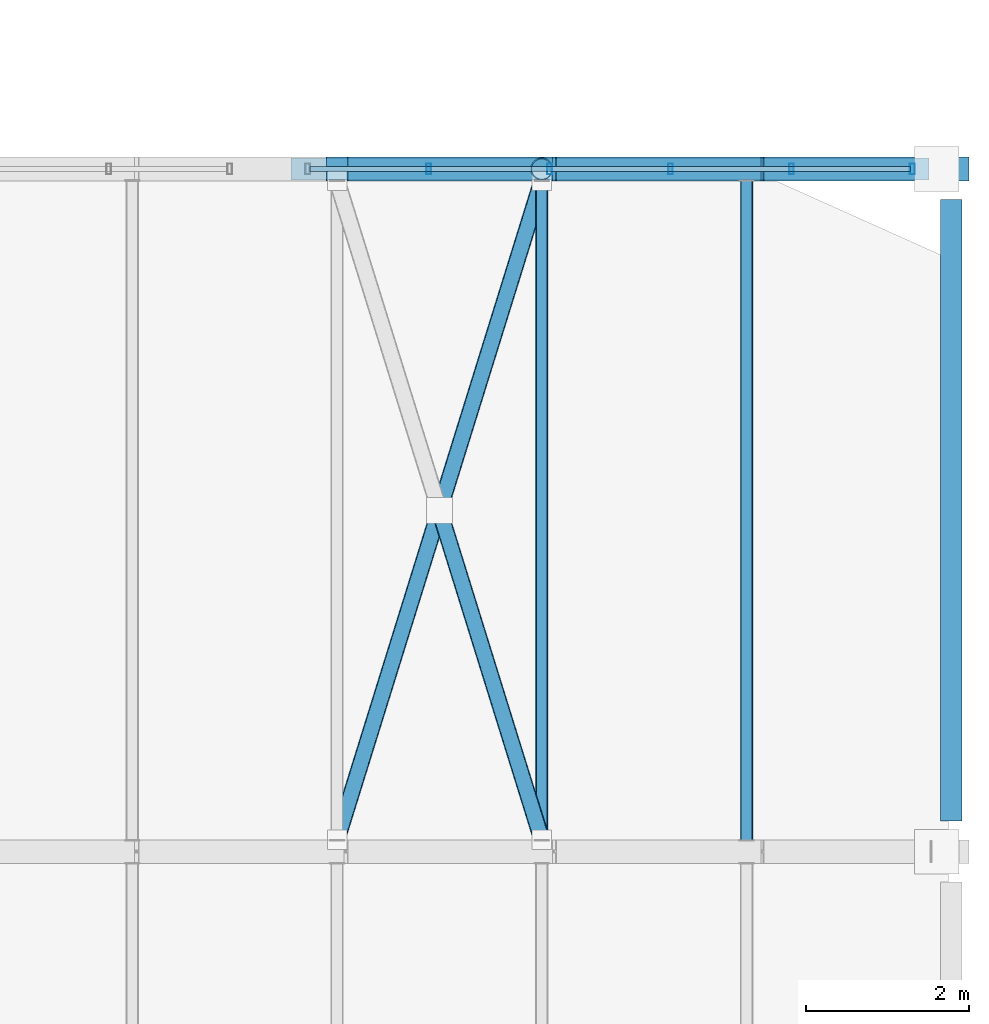
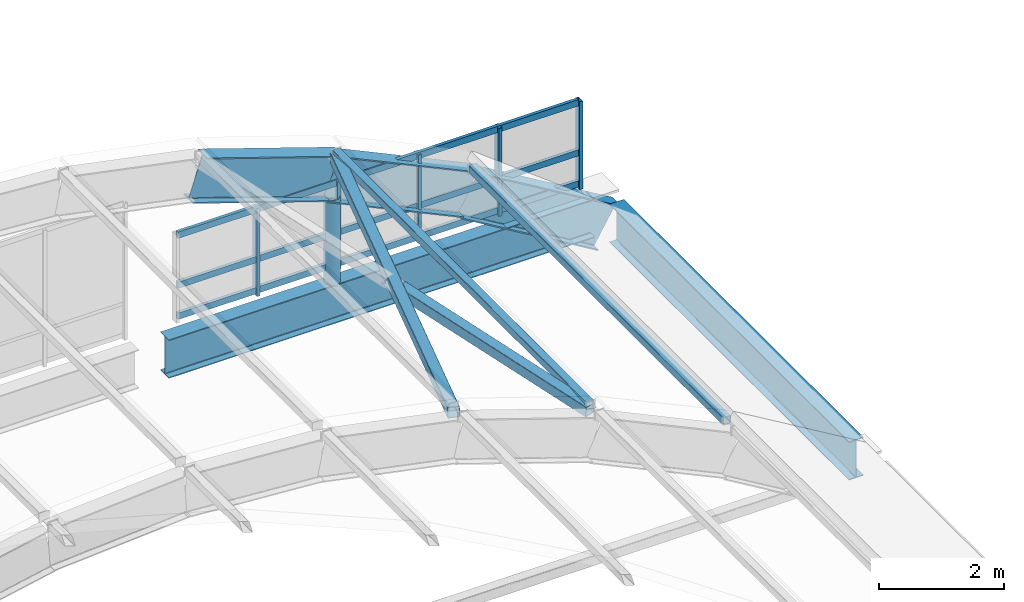
# One storey, part 71 of 107: 13 members, 5 beams, 1 element without a shape of its own.
"""IFC4 building model written with IfcOpenShell, lengths in metres."""

from ifc_helpers import new_model, si_unit, direction, frame, origin, origin_2d, place, context, subcontext, project, spatial, hollow_rectangle, hollow_circle, i_section, extrude, material, layer, layer_set, material_profile, profile_set, type_object, element, aggregate, save


model = new_model("IFC4")

# Units and contexts
model_context = context("Model", 3, precision=1e-05, world=origin(), true_north=direction((0.0, 1.0)))
body_context = subcontext(model_context, "Body", "Model", "MODEL_VIEW")
ifc_project = project(units=[si_unit("LENGTHUNIT", "METRE"), si_unit("AREAUNIT", "SQUARE_METRE"), si_unit("VOLUMEUNIT", "CUBIC_METRE"), si_unit("PLANEANGLEUNIT", "RADIAN"), si_unit("MASSUNIT", "GRAM", prefix="KILO")], contexts=[model_context])

# Site, building, storey
site_placement = place(None, origin())
site = spatial("IfcSite", under=ifc_project, at=site_placement, CompositionType="ELEMENT")
building_placement = place(site_placement, origin())
building = spatial("IfcBuilding", under=site, at=building_placement, Name="Vireocrest Preparatory School", CompositionType="ELEMENT")
storey_placement = place(building_placement, frame((0.0, 0.0, 13.199951171875)))
storey = spatial("IfcBuildingStorey", under=building, at=storey_placement, Name="L03", CompositionType="ELEMENT", Elevation=13.199951171875)

# Beams
ifc_material_1 = material(Name="Structural steel ASTM A992 Grade 50", Category="steel")
ifc_material_profile_1 = material_profile(ifc_material_1, i_section(OverallWidth=0.2919921875, OverallDepth=0.841064453125, WebThickness=0.0146484375, FlangeThickness=0.021728515625, FilletRadius=0.02001953125, at=origin_2d()), Name="W33X130")
ifc_profile_set_1 = profile_set([ifc_material_profile_1], Name="Structural steel ASTM A992 Grade 50")
beam_type_1 = type_object("IfcBeamType", Name="Assembly Hall Barrel Vault Arch Rib W33X130", PredefinedType="BEAM", material=ifc_profile_set_1)
beam_1_placement = place(storey_placement, frame((160.43994140625, 52.199951171875, 2.694580078125), z_axis=(0.947982995349, 0.0, -0.318320970924), x_axis=(0.0, 1.0, 0.0)))
element("IfcBeam", 1, at=beam_1_placement, inside=storey, type_object=beam_type_1, Name="Assembly Hall Barrel Vault Roof Arch Rib 5 Seg 8", PredefinedType="BEAM", context=body_context, shape_type="SweptSolid", body=[
    extrude(i_section(OverallWidth=0.2919921875, OverallDepth=0.841064453125, WebThickness=0.0146484375, FlangeThickness=0.021728515625, FilletRadius=0.02001953125, at=origin_2d()), origin(), (0.0, 0.0, 1.0), 2.658203125),
])
beam_2_placement = place(storey_placement, frame((162.9599609375, 52.199951171875, 1.827880859375), z_axis=(0.905574801812, 0.0, -0.424186607902), x_axis=(0.0, 1.0, 0.0)))
element("IfcBeam", 2, at=beam_2_placement, inside=storey, type_object=beam_type_1, Name="Assembly Hall Barrel Vault Roof Arch Rib 5 Seg 9", PredefinedType="BEAM", context=body_context, shape_type="SweptSolid", body=[
    extrude(i_section(OverallWidth=0.2919921875, OverallDepth=0.841064453125, WebThickness=0.0146484375, FlangeThickness=0.021728515625, FilletRadius=0.02001953125, at=origin_2d()), origin(), (0.0, 0.0, 1.0), 2.78271484375),
])
beam_3_placement = place(storey_placement, frame((165.47998046875, 52.199951171875, 0.62109375), z_axis=(0.858599207137, 0.0, -0.512647443672), x_axis=(0.0, 1.0, 0.0)))
element("IfcBeam", 3, at=beam_3_placement, inside=storey, type_object=beam_type_1, Name="Assembly Hall Barrel Vault Roof Arch Rib 5 Seg 10", PredefinedType="BEAM", context=body_context, shape_type="SweptSolid", body=[
    extrude(i_section(OverallWidth=0.2919921875, OverallDepth=0.841064453125, WebThickness=0.0146484375, FlangeThickness=0.021728515625, FilletRadius=0.02001953125, at=origin_2d()), origin(), (0.0, 0.0, 1.0), 2.93505859375),
])
ifc_material_profile_2 = material_profile(ifc_material_1, i_section(OverallWidth=0.264892578125, OverallDepth=0.7529296875, WebThickness=0.01318359375, FlangeThickness=0.01708984375, FilletRadius=0.01904296875, at=origin_2d()), Name="W30X99")
ifc_profile_set_2 = profile_set([ifc_material_profile_2], Name="Structural steel ASTM A992 Grade 50")
beam_type_2 = type_object("IfcBeamType", Name="Assembly Hall Vault Ring Beam W30X99", PredefinedType="BEAM", material=ifc_profile_set_2)
beam_4_placement = place(storey_placement, frame((168.0, 44.175048828125, -0.596435546875), z_axis=(0.0, 1.0, 0.0), x_axis=(-1.0, 0.0, 0.0)))
element("IfcBeam", 4, at=beam_4_placement, inside=storey, type_object=beam_type_2, Name="Assembly Hall Barrel Vault Roof Ring Beam E 43.8-52.2", PredefinedType="BEAM", context=body_context, shape_type="SweptSolid", body=[
    extrude(i_section(OverallWidth=0.264892578125, OverallDepth=0.7529296875, WebThickness=0.01318359375, FlangeThickness=0.01708984375, FilletRadius=0.01904296875, at=origin_2d()), origin(), (0.0, 0.0, 1.0), 7.64990234375),
])
beam_5_placement = place(storey_placement, frame((159.875, 52.199951171875, -0.596435546875), z_axis=(1.0, 0.0, 0.0), x_axis=(0.0, 1.0, 0.0)))
element("IfcBeam", 5, at=beam_5_placement, inside=storey, type_object=beam_type_2, Name="Assembly Hall Barrel Vault Roof Gable Ring Beam N-3", PredefinedType="BEAM", context=body_context, shape_type="SweptSolid", body=[
    extrude(i_section(OverallWidth=0.264892578125, OverallDepth=0.7529296875, WebThickness=0.01318359375, FlangeThickness=0.01708984375, FilletRadius=0.01904296875, at=origin_2d()), origin(), (0.0, 0.0, 1.0), 7.85009765625),
])

# Members
ifc_material_2 = material(Name="Structural steel ASTM A500 Grade C", Category="steel")
ifc_material_profile_3 = material_profile(ifc_material_2, hollow_rectangle(XDim=0.15234375, YDim=0.15234375, WallThickness=0.0087890625, InnerFilletRadius=0.0087890625, OuterFilletRadius=0.017822265625, at=origin_2d()), Name="HSS6X6X3/8")
ifc_profile_set_3 = profile_set([ifc_material_profile_3], Name="Structural steel ASTM A500 Grade C")
member_type_1 = type_object("IfcMemberType", Name="Barrel Vault Steel Purlin HSS6X6X3/8", PredefinedType="PURLIN", material=ifc_profile_set_3)
for number, where, z_axis, x_axis, name in (
    (6, (162.9599609375, 43.94091796875, 2.355712890625), (0.0, 1.0, 0.0), (-1.0, 0.0, 0.0), "Assembly Hall Barrel Vault Roof Purlin 4-9"),
    (7, (165.47998046875, 43.94091796875, 1.175048828125), (0.0, 1.0, 0.0), (-1.0, 0.0, 0.0), "Assembly Hall Barrel Vault Roof Purlin 4-10"),
):
    element("IfcMember", number, at=place(storey_placement, frame(where, z_axis=z_axis, x_axis=x_axis)), inside=storey, type_object=member_type_1, Name=name, PredefinedType="PURLIN", context=body_context, shape_type="SweptSolid", body=[
        extrude(hollow_rectangle(XDim=0.15234375, YDim=0.15234375, WallThickness=0.0087890625, InnerFilletRadius=0.0087890625, OuterFilletRadius=0.017822265625, at=origin_2d()), origin(), (0.0, 0.0, 1.0), 8.1181640625),
    ])

# Curtain wall, members
ifc_material_3 = material(Name="Thermally broken aluminium EN AW-6063-T6", Category="aluminium")
ifc_layer = layer(ifc_material_3, 0.179931640625)
ifc_layer_set = layer_set([ifc_layer], Name="Thermally broken aluminium EN AW-6063-T6")
curtain_wall_type = type_object("IfcCurtainWallType", Name="Vault Gable Clerestory 8400x2600", PredefinedType="USERDEFINED", material=ifc_layer_set)
curtain_wall_placement = place(storey_placement, origin())
curtain_wall = element("IfcCurtainWall", 8, at=curtain_wall_placement, inside=storey, type_object=curtain_wall_type, Name="Curtain Wall CW13 CW_L03_CW13_1600_0522_132", ObjectType="CURTAIN WALL", PredefinedType="USERDEFINED")
ifc_material_profile_4 = material_profile(ifc_material_3, hollow_rectangle(XDim=0.06005859375, YDim=0.135009765625, WallThickness=0.00390625, at=origin_2d()), Name="ALU 60x135x4")
ifc_profile_set_4 = profile_set([ifc_material_profile_4], Name="Thermally broken aluminium EN AW-6063-T6")
member_type_2 = type_object("IfcMemberType", Name="CW Clerestory Mullion 60x135x4", PredefinedType="MULLION", material=ifc_profile_set_4)
member_1_placement = place(storey_placement, frame((161.568115234375, 52.199951171875, 0.0), z_axis=(0.0, 0.0, 1.0), x_axis=(1.0, 0.0, 0.0)))
member_1 = element("IfcMember", 9, at=member_1_placement, type_object=member_type_2, Name="CW Mullion ML6 CW_L03_CW13_1600_0522_132-2", PredefinedType="MULLION", context=body_context, shape_type="SweptSolid", body=[
    extrude(hollow_rectangle(XDim=0.06005859375, YDim=0.135009765625, WallThickness=0.00390625, at=origin_2d()), origin(), (0.0, 0.0, 1.0), 1.715087890625),
])
member_2_placement = place(storey_placement, frame((163.055908203125, 52.199951171875, 0.0), z_axis=(0.0, 0.0, 1.0), x_axis=(1.0, 0.0, 0.0)))
member_2 = element("IfcMember", 10, at=member_2_placement, type_object=member_type_2, Name="CW Mullion ML6 CW_L03_CW13_1600_0522_132-3", PredefinedType="MULLION", context=body_context, shape_type="SweptSolid", body=[
    extrude(hollow_rectangle(XDim=0.06005859375, YDim=0.135009765625, WallThickness=0.00390625, at=origin_2d()), origin(), (0.0, 0.0, 1.0), 1.715087890625),
])
member_3_placement = place(storey_placement, frame((164.5439453125, 52.199951171875, 0.0), z_axis=(0.0, 0.0, 1.0), x_axis=(1.0, 0.0, 0.0)))
member_3 = element("IfcMember", 11, at=member_3_placement, type_object=member_type_2, Name="CW Mullion ML6 CW_L03_CW13_1600_0522_132-4", PredefinedType="MULLION", context=body_context, shape_type="SweptSolid", body=[
    extrude(hollow_rectangle(XDim=0.06005859375, YDim=0.135009765625, WallThickness=0.00390625, at=origin_2d()), origin(), (0.0, 0.0, 1.0), 1.715087890625),
])
member_4_placement = place(storey_placement, frame((166.031982421875, 52.199951171875, 0.0), z_axis=(0.0, 0.0, 1.0), x_axis=(1.0, 0.0, 0.0)))
member_4 = element("IfcMember", 12, at=member_4_placement, type_object=member_type_2, Name="CW Mullion ML6 CW_L03_CW13_1600_0522_132-5", PredefinedType="MULLION", context=body_context, shape_type="SweptSolid", body=[
    extrude(hollow_rectangle(XDim=0.06005859375, YDim=0.135009765625, WallThickness=0.00390625, at=origin_2d()), origin(), (0.0, 0.0, 1.0), 1.715087890625),
])
member_5_placement = place(storey_placement, frame((167.52001953125, 52.199951171875, 0.0), z_axis=(0.0, 0.0, 1.0), x_axis=(1.0, 0.0, 0.0)))
member_5 = element("IfcMember", 13, at=member_5_placement, type_object=member_type_2, Name="CW Mullion ML6 CW_L03_CW13_1600_0522_132-6", PredefinedType="MULLION", context=body_context, shape_type="SweptSolid", body=[
    extrude(hollow_rectangle(XDim=0.06005859375, YDim=0.135009765625, WallThickness=0.00390625, at=origin_2d()), origin(), (0.0, 0.0, 1.0), 1.715087890625),
])
ifc_material_profile_5 = material_profile(ifc_material_3, hollow_rectangle(XDim=0.06005859375, YDim=0.125, WallThickness=0.00390625, at=origin_2d()), Name="ALU 60x125x4")
ifc_profile_set_5 = profile_set([ifc_material_profile_5], Name="Thermally broken aluminium EN AW-6063-T6")
member_type_3 = type_object("IfcMemberType", Name="CW Clerestory Transom 60x125x4", PredefinedType="USERDEFINED", material=ifc_profile_set_5)
member_6_placement = place(storey_placement, frame((160.10498046875, 52.199951171875, 0.094970703125), z_axis=(1.0, 0.0, 0.0), x_axis=(0.0, 1.0, 0.0)))
member_6 = element("IfcMember", 14, at=member_6_placement, type_object=member_type_3, Name="CW Transom TR6 CW_L03_CW13_1600_0522_132-1", ObjectType="TRANSOM", PredefinedType="USERDEFINED", context=body_context, shape_type="SweptSolid", body=[
    extrude(hollow_rectangle(XDim=0.06005859375, YDim=0.125, WallThickness=0.00390625, at=origin_2d()), origin(), (0.0, 0.0, 1.0), 7.39013671875),
])
member_7_placement = place(storey_placement, frame((160.10498046875, 52.199951171875, 0.699951171875), z_axis=(1.0, 0.0, 0.0), x_axis=(0.0, 1.0, 0.0)))
member_7 = element("IfcMember", 15, at=member_7_placement, type_object=member_type_3, Name="CW Transom TR6 CW_L03_CW13_1600_0522_132-2", ObjectType="TRANSOM", PredefinedType="USERDEFINED", context=body_context, shape_type="SweptSolid", body=[
    extrude(hollow_rectangle(XDim=0.06005859375, YDim=0.125, WallThickness=0.00390625, at=origin_2d()), origin(), (0.0, 0.0, 1.0), 7.39013671875),
])
member_8_placement = place(storey_placement, frame((160.10498046875, 52.199951171875, 1.675048828125), z_axis=(1.0, 0.0, 0.0), x_axis=(0.0, 1.0, 0.0)))
member_8 = element("IfcMember", 16, at=member_8_placement, type_object=member_type_3, Name="CW Transom TR6 CW_L03_CW13_1600_0522_132-3", ObjectType="TRANSOM", PredefinedType="USERDEFINED", context=body_context, shape_type="SweptSolid", body=[
    extrude(hollow_rectangle(XDim=0.06005859375, YDim=0.125, WallThickness=0.00390625, at=origin_2d()), origin(), (0.0, 0.0, 1.0), 7.39013671875),
])
aggregate(curtain_wall, [member_1, member_2, member_3, member_4, member_5, member_6, member_7, member_8])

# Members
ifc_material_profile_6 = material_profile(ifc_material_2, hollow_rectangle(XDim=0.203125, YDim=0.203125, WallThickness=0.0087890625, InnerFilletRadius=0.0087890625, OuterFilletRadius=0.017822265625, at=origin_2d()), Name="HSS8X8X3/8")
ifc_profile_set_6 = profile_set([ifc_material_profile_6], Name="Structural steel ASTM A500 Grade C")
member_type_4 = type_object("IfcMemberType", Name="Vault Roof Wind X-Brace HSS8X8X3/8", PredefinedType="BRACE", material=ifc_profile_set_6)
member_9_placement = place(storey_placement, frame((160.43994140625, 43.946044921875, 3.09716796875), z_axis=(0.295375381898, 0.950340673593, -0.098010141736), x_axis=(-0.954938304323, 0.296804371491, 0.0)))
element("IfcMember", 17, at=member_9_placement, inside=storey, type_object=member_type_4, Name="Assembly Hall Barrel Vault Roof Roof Wind Brace 4-8", PredefinedType="BRACE", context=body_context, shape_type="SweptSolid", body=[
    extrude(hollow_rectangle(XDim=0.203125, YDim=0.203125, WallThickness=0.0087890625, InnerFilletRadius=0.0087890625, OuterFilletRadius=0.017822265625, at=origin_2d()), origin(), (0.0, 0.0, 1.0), 8.531494140625),
])
member_10_placement = place(storey_placement, frame((161.73828125, 47.87646484375, 2.666259765625), z_axis=(0.295390460979, -0.950337935913, -0.097991240053), x_axis=(0.954933767345, 0.29681896837, 0.0)))
element("IfcMember", 18, at=member_10_placement, inside=storey, type_object=member_type_4, Name="Assembly Hall Barrel Vault Roof Split Roof X-Brace 4-8-2", PredefinedType="BRACE", context=body_context, shape_type="SweptSolid", body=[
    extrude(hollow_rectangle(XDim=0.203125, YDim=0.203125, WallThickness=0.0087890625, InnerFilletRadius=0.0087890625, OuterFilletRadius=0.017822265625, at=origin_2d()), origin(), (0.0, 0.0, 1.0), 4.1357421875),
])
ifc_material_4 = material(Name="Painted white steel ASTM A500 Grade C", Category="steel")
ifc_material_profile_7 = material_profile(ifc_material_4, hollow_circle(Radius=0.136474609375, WallThickness=0.0126953125, at=origin_2d()), Name="HSS10.750X0.500")
ifc_profile_set_7 = profile_set([ifc_material_profile_7], Name="Painted white steel ASTM A500 Grade C")
member_type_5 = type_object("IfcMemberType", Name="White Steel Clerestory Strut HSS10.750X0.500", PredefinedType="USERDEFINED", material=ifc_profile_set_7)
member_11_placement = place(storey_placement, frame((162.9599609375, 52.199951171875, -0.239990234375), z_axis=(0.0, 0.0, 1.0), x_axis=(1.0, 0.0, 0.0)))
element("IfcMember", 19, at=member_11_placement, inside=storey, type_object=member_type_5, Name="Assembly Hall Barrel Vault Roof Gable Mullion Post 5-8", ObjectType="STRUT", PredefinedType="USERDEFINED", context=body_context, shape_type="SweptSolid", body=[
    extrude(hollow_circle(Radius=0.136474609375, WallThickness=0.0126953125, at=origin_2d()), origin(), (0.0, 0.0, 1.0), 1.667236328125),
])

save(model, "model.ifc")
